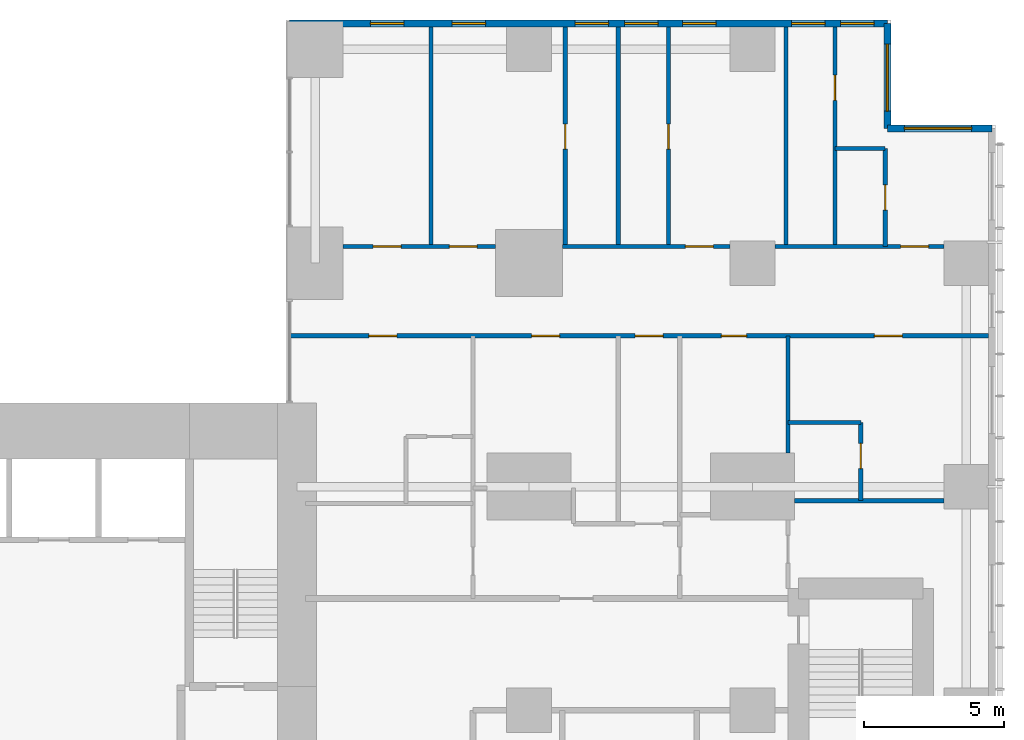
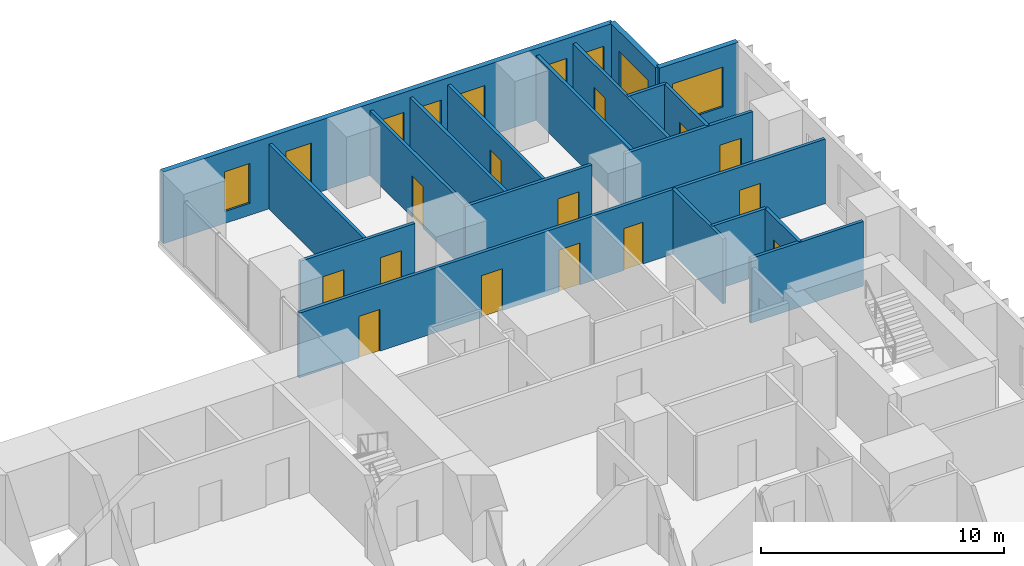
# One storey, part 10 of 12: 19 walls, 14 doors, 9 windows, 23 openings.
"""IFC4 building model written with IfcOpenShell, lengths in metres."""

from ifc_helpers import new_model, si_unit, direction, frame, frame_2d, origin, place, context, subcontext, project, spatial, rectangle, extrude, material, layer, layer_set, type_object, element, fill, save


model = new_model("IFC4")

# Units and contexts
model_context = context("Model", 3, precision=1e-05, world=origin(), true_north=direction((0.0, 1.0)))
body_context = subcontext(model_context, "Body", "Model", "MODEL_VIEW")
ifc_project = project(units=[si_unit("LENGTHUNIT", "METRE"), si_unit("AREAUNIT", "SQUARE_METRE"), si_unit("VOLUMEUNIT", "CUBIC_METRE"), si_unit("PLANEANGLEUNIT", "RADIAN"), si_unit("MASSUNIT", "GRAM", prefix="KILO")], contexts=[model_context])

# Site, building, storey
site_placement = place(None, origin())
site = spatial("IfcSite", under=ifc_project, at=site_placement, CompositionType="ELEMENT")
building_placement = place(site_placement, origin())
building = spatial("IfcBuilding", under=site, at=building_placement, Name="Cleftline Residences", CompositionType="ELEMENT")
storey_placement = place(building_placement, frame((0.0, 0.0, 273.60009765625)))
storey = spatial("IfcBuildingStorey", under=building, at=storey_placement, Name="L72", CompositionType="ELEMENT", Elevation=273.60009765625)

# Wall, opening, window
ifc_material_1 = material(Name="Rendered reinforced concrete blockwork", Category="masonry")
ifc_layer_1 = layer(ifc_material_1, 0.25)
ifc_layer_set_1 = layer_set([ifc_layer_1], Name="EXTERNAL WALL 250")
wall_type_1 = type_object("IfcWallType", Name="EXTERNAL WALL 250", PredefinedType="SOLIDWALL", material=ifc_layer_set_1)
wall_1_placement = place(storey_placement, frame((66.574951171875, 44.824951171875, 0.0), z_axis=(0.0, 0.0, 1.0), x_axis=(-1.0, 0.0, 0.0)))
wall_1 = element("IfcWall", 1, at=wall_1_placement, inside=storey, type_object=wall_type_1, Name="External wall", PredefinedType="SOLIDWALL", context=body_context, shape_type="SweptSolid", body=[
    extrude(rectangle(XDim=3.75, YDim=0.25, at=frame_2d((1.875, 0.0))), origin(), (0.0, 0.0, 1.0), 3.599853515625),
])
opening_1_placement = place(wall_1_placement, frame((0.737548828125, 0.0, 0.60009765625)))
opening_1 = element("IfcOpeningElement", 2, at=opening_1_placement, cuts=wall_1, Name="Opening W6", PredefinedType="OPENING", context=body_context, shape_type="SweptSolid", body=[
    extrude(rectangle(XDim=2.39990234375, YDim=2.0, at=frame_2d((1.199951171875, 1.0))), frame((0.0, 0.135009765625, 0.0), z_axis=(0.0, -1.0, 0.0), x_axis=(1.0, 0.0, 0.0)), (0.0, 0.0, 1.0), 0.27001953125),
])
ifc_material_2 = material(Name="Aluminium frame, clear double glazing", Category="aluminium")
window_type_1 = type_object("IfcWindowType", Name="WINDOW 2400X2000", PartitioningType="DOUBLE_PANEL_VERTICAL", PredefinedType="WINDOW", material=ifc_material_2)
window_1_placement = place(opening_1_placement, origin())
window_1 = element("IfcWindow", 3, at=window_1_placement, inside=storey, type_object=window_type_1, Name="Window", OverallHeight=2.0, OverallWidth=2.39990234375, PartitioningType="SINGLE_PANEL", PredefinedType="WINDOW", context=body_context, shape_type="SweptSolid", body=[
    extrude(rectangle(XDim=2.39990234375, YDim=2.0, at=frame_2d((1.199951171875, 1.0))), frame((0.0, 0.030029296875, 0.0), z_axis=(0.0, -1.0, 0.0), x_axis=(1.0, 0.0, 0.0)), (0.0, 0.0, 1.0), 0.06005859375),
])
fill(opening_1, window_1)

wall_2_placement = place(storey_placement, frame((62.824951171875, 44.824951171875, 0.0), z_axis=(0.0, 0.0, 1.0), x_axis=(0.0, 1.0, 0.0)))
wall_2 = element("IfcWall", 4, at=wall_2_placement, inside=storey, type_object=wall_type_1, Name="External wall", PredefinedType="SOLIDWALL", context=body_context, shape_type="SweptSolid", body=[
    extrude(rectangle(XDim=3.75, YDim=0.25, at=frame_2d((1.875, 0.0))), origin(), (0.0, 0.0, 1.0), 3.599853515625),
])
opening_2_placement = place(wall_2_placement, frame((0.612548828125, 0.0, 0.60009765625)))
opening_2 = element("IfcOpeningElement", 5, at=opening_2_placement, cuts=wall_2, Name="Opening W6", PredefinedType="OPENING", context=body_context, shape_type="SweptSolid", body=[
    extrude(rectangle(XDim=2.39990234375, YDim=2.0, at=frame_2d((1.199951171875, 1.0))), frame((0.0, 0.135009765625, 0.0), z_axis=(0.0, -1.0, 0.0), x_axis=(1.0, 0.0, 0.0)), (0.0, 0.0, 1.0), 0.27001953125),
])
window_2_placement = place(opening_2_placement, origin())
window_2 = element("IfcWindow", 6, at=window_2_placement, inside=storey, type_object=window_type_1, Name="Window", OverallHeight=2.0, OverallWidth=2.39990234375, PartitioningType="SINGLE_PANEL", PredefinedType="WINDOW", context=body_context, shape_type="SweptSolid", body=[
    extrude(rectangle(XDim=2.39990234375, YDim=2.0, at=frame_2d((1.199951171875, 1.0))), frame((0.0, 0.030029296875, 0.0), z_axis=(0.0, -1.0, 0.0), x_axis=(1.0, 0.0, 0.0)), (0.0, 0.0, 1.0), 0.06005859375),
])
fill(opening_2, window_2)

# Wall, openings, windows
wall_3_placement = place(storey_placement, frame((62.824951171875, 48.574951171875, 0.0), z_axis=(0.0, 0.0, 1.0), x_axis=(-1.0, 0.0, 0.0)))
wall_3 = element("IfcWall", 7, at=wall_3_placement, inside=storey, type_object=wall_type_1, Name="External wall", PredefinedType="SOLIDWALL", context=body_context, shape_type="SweptSolid", body=[
    extrude(rectangle(XDim=21.39990234375, YDim=0.25, at=frame_2d((10.699951171875, 0.0))), origin(), (0.0, 0.0, 1.0), 3.599853515625),
])
opening_3_placement = place(wall_3_placement, frame((0.47509765625, 0.0, 0.60009765625)))
opening_3 = element("IfcOpeningElement", 8, at=opening_3_placement, cuts=wall_3, Name="Opening W8", PredefinedType="OPENING", context=body_context, shape_type="SweptSolid", body=[
    extrude(rectangle(XDim=1.199951171875, YDim=2.0, at=frame_2d((0.60009765625, 1.0))), frame((0.0, 0.135009765625, 0.0), z_axis=(0.0, -1.0, 0.0), x_axis=(1.0, 0.0, 0.0)), (0.0, 0.0, 1.0), 0.27001953125),
])
opening_4_placement = place(wall_3_placement, frame((2.22509765625, 0.0, 0.60009765625)))
opening_4 = element("IfcOpeningElement", 9, at=opening_4_placement, cuts=wall_3, Name="Opening W8", PredefinedType="OPENING", context=body_context, shape_type="SweptSolid", body=[
    extrude(rectangle(XDim=1.199951171875, YDim=2.0, at=frame_2d((0.60009765625, 1.0))), frame((0.0, 0.135009765625, 0.0), z_axis=(0.0, -1.0, 0.0), x_axis=(1.0, 0.0, 0.0)), (0.0, 0.0, 1.0), 0.27001953125),
])
opening_5_placement = place(wall_3_placement, frame((6.125, 0.0, 0.60009765625)))
opening_5 = element("IfcOpeningElement", 10, at=opening_5_placement, cuts=wall_3, Name="Opening W8", PredefinedType="OPENING", context=body_context, shape_type="SweptSolid", body=[
    extrude(rectangle(XDim=1.199951171875, YDim=2.0, at=frame_2d((0.60009765625, 1.0))), frame((0.0, 0.135009765625, 0.0), z_axis=(0.0, -1.0, 0.0), x_axis=(1.0, 0.0, 0.0)), (0.0, 0.0, 1.0), 0.27001953125),
])
opening_6_placement = place(wall_3_placement, frame((8.199951171875, 0.0, 0.60009765625)))
opening_6 = element("IfcOpeningElement", 11, at=opening_6_placement, cuts=wall_3, Name="Opening W8", PredefinedType="OPENING", context=body_context, shape_type="SweptSolid", body=[
    extrude(rectangle(XDim=1.199951171875, YDim=2.0, at=frame_2d((0.60009765625, 1.0))), frame((0.0, 0.135009765625, 0.0), z_axis=(0.0, -1.0, 0.0), x_axis=(1.0, 0.0, 0.0)), (0.0, 0.0, 1.0), 0.27001953125),
])
opening_7_placement = place(wall_3_placement, frame((9.97509765625, 0.0, 0.60009765625)))
opening_7 = element("IfcOpeningElement", 12, at=opening_7_placement, cuts=wall_3, Name="Opening W8", PredefinedType="OPENING", context=body_context, shape_type="SweptSolid", body=[
    extrude(rectangle(XDim=1.199951171875, YDim=2.0, at=frame_2d((0.60009765625, 1.0))), frame((0.0, 0.135009765625, 0.0), z_axis=(0.0, -1.0, 0.0), x_axis=(1.0, 0.0, 0.0)), (0.0, 0.0, 1.0), 0.27001953125),
])
opening_8_placement = place(wall_3_placement, frame((14.375, 0.0, 0.60009765625)))
opening_8 = element("IfcOpeningElement", 13, at=opening_8_placement, cuts=wall_3, Name="Opening W8", PredefinedType="OPENING", context=body_context, shape_type="SweptSolid", body=[
    extrude(rectangle(XDim=1.199951171875, YDim=2.0, at=frame_2d((0.60009765625, 1.0))), frame((0.0, 0.135009765625, 0.0), z_axis=(0.0, -1.0, 0.0), x_axis=(1.0, 0.0, 0.0)), (0.0, 0.0, 1.0), 0.27001953125),
])
opening_9_placement = place(wall_3_placement, frame((17.300048828125, 0.0, 0.60009765625)))
opening_9 = element("IfcOpeningElement", 14, at=opening_9_placement, cuts=wall_3, Name="Opening W8", PredefinedType="OPENING", context=body_context, shape_type="SweptSolid", body=[
    extrude(rectangle(XDim=1.199951171875, YDim=2.0, at=frame_2d((0.60009765625, 1.0))), frame((0.0, 0.135009765625, 0.0), z_axis=(0.0, -1.0, 0.0), x_axis=(1.0, 0.0, 0.0)), (0.0, 0.0, 1.0), 0.27001953125),
])
ifc_material_3 = material(Name="Aluminium frame, clear double glazing", Category="aluminium")
window_type_2 = type_object("IfcWindowType", Name="WINDOW 1200X2000", PartitioningType="DOUBLE_PANEL_VERTICAL", PredefinedType="WINDOW", material=ifc_material_3)
window_3_placement = place(opening_3_placement, origin())
window_3 = element("IfcWindow", 15, at=window_3_placement, inside=storey, type_object=window_type_2, Name="Window", OverallHeight=2.0, OverallWidth=1.199951171875, PartitioningType="SINGLE_PANEL", PredefinedType="WINDOW", context=body_context, shape_type="SweptSolid", body=[
    extrude(rectangle(XDim=1.199951171875, YDim=2.0, at=frame_2d((0.60009765625, 1.0))), frame((0.0, 0.030029296875, 0.0), z_axis=(0.0, -1.0, 0.0), x_axis=(1.0, 0.0, 0.0)), (0.0, 0.0, 1.0), 0.06005859375),
])
fill(opening_3, window_3)
window_4_placement = place(opening_4_placement, origin())
window_4 = element("IfcWindow", 16, at=window_4_placement, inside=storey, type_object=window_type_2, Name="Window", OverallHeight=2.0, OverallWidth=1.199951171875, PartitioningType="SINGLE_PANEL", PredefinedType="WINDOW", context=body_context, shape_type="SweptSolid", body=[
    extrude(rectangle(XDim=1.199951171875, YDim=2.0, at=frame_2d((0.60009765625, 1.0))), frame((0.0, 0.030029296875, 0.0), z_axis=(0.0, -1.0, 0.0), x_axis=(1.0, 0.0, 0.0)), (0.0, 0.0, 1.0), 0.06005859375),
])
fill(opening_4, window_4)
window_5_placement = place(opening_5_placement, origin())
window_5 = element("IfcWindow", 17, at=window_5_placement, inside=storey, type_object=window_type_2, Name="Window", OverallHeight=2.0, OverallWidth=1.199951171875, PartitioningType="SINGLE_PANEL", PredefinedType="WINDOW", context=body_context, shape_type="SweptSolid", body=[
    extrude(rectangle(XDim=1.199951171875, YDim=2.0, at=frame_2d((0.60009765625, 1.0))), frame((0.0, 0.030029296875, 0.0), z_axis=(0.0, -1.0, 0.0), x_axis=(1.0, 0.0, 0.0)), (0.0, 0.0, 1.0), 0.06005859375),
])
fill(opening_5, window_5)
window_6_placement = place(opening_6_placement, origin())
window_6 = element("IfcWindow", 18, at=window_6_placement, inside=storey, type_object=window_type_2, Name="Window", OverallHeight=2.0, OverallWidth=1.199951171875, PartitioningType="SINGLE_PANEL", PredefinedType="WINDOW", context=body_context, shape_type="SweptSolid", body=[
    extrude(rectangle(XDim=1.199951171875, YDim=2.0, at=frame_2d((0.60009765625, 1.0))), frame((0.0, 0.030029296875, 0.0), z_axis=(0.0, -1.0, 0.0), x_axis=(1.0, 0.0, 0.0)), (0.0, 0.0, 1.0), 0.06005859375),
])
fill(opening_6, window_6)
window_7_placement = place(opening_7_placement, origin())
window_7 = element("IfcWindow", 19, at=window_7_placement, inside=storey, type_object=window_type_2, Name="Window", OverallHeight=2.0, OverallWidth=1.199951171875, PartitioningType="SINGLE_PANEL", PredefinedType="WINDOW", context=body_context, shape_type="SweptSolid", body=[
    extrude(rectangle(XDim=1.199951171875, YDim=2.0, at=frame_2d((0.60009765625, 1.0))), frame((0.0, 0.030029296875, 0.0), z_axis=(0.0, -1.0, 0.0), x_axis=(1.0, 0.0, 0.0)), (0.0, 0.0, 1.0), 0.06005859375),
])
fill(opening_7, window_7)
window_8_placement = place(opening_8_placement, origin())
window_8 = element("IfcWindow", 20, at=window_8_placement, inside=storey, type_object=window_type_2, Name="Window", OverallHeight=2.0, OverallWidth=1.199951171875, PartitioningType="SINGLE_PANEL", PredefinedType="WINDOW", context=body_context, shape_type="SweptSolid", body=[
    extrude(rectangle(XDim=1.199951171875, YDim=2.0, at=frame_2d((0.60009765625, 1.0))), frame((0.0, 0.030029296875, 0.0), z_axis=(0.0, -1.0, 0.0), x_axis=(1.0, 0.0, 0.0)), (0.0, 0.0, 1.0), 0.06005859375),
])
fill(opening_8, window_8)
window_9_placement = place(opening_9_placement, origin())
window_9 = element("IfcWindow", 21, at=window_9_placement, inside=storey, type_object=window_type_2, Name="Window", OverallHeight=2.0, OverallWidth=1.199951171875, PartitioningType="SINGLE_PANEL", PredefinedType="WINDOW", context=body_context, shape_type="SweptSolid", body=[
    extrude(rectangle(XDim=1.199951171875, YDim=2.0, at=frame_2d((0.60009765625, 1.0))), frame((0.0, 0.030029296875, 0.0), z_axis=(0.0, -1.0, 0.0), x_axis=(1.0, 0.0, 0.0)), (0.0, 0.0, 1.0), 0.06005859375),
])
fill(opening_9, window_9)

# Walls
ifc_material_4 = material(Name="Gypsum board on steel studs", Category="steel")
ifc_layer_2 = layer(ifc_material_4, 0.14990234375)
ifc_layer_set_2 = layer_set([ifc_layer_2], Name="PARTITION 150")
wall_type_2 = type_object("IfcWallType", Name="PARTITION 150", PredefinedType="PARTITIONING", material=ifc_layer_set_2)
wall_4_placement = place(storey_placement, frame((59.5, 31.5, 0.0), z_axis=(0.0, 0.0, 1.0), x_axis=(1.0, 0.0, 0.0)))
element("IfcWall", 22, at=wall_4_placement, inside=storey, type_object=wall_type_2, Name="Partition", PredefinedType="PARTITIONING", context=body_context, shape_type="SweptSolid", body=[
    extrude(rectangle(XDim=5.35009765625, YDim=0.14990234375, at=frame_2d((2.675048828125, 0.0))), origin(), (0.0, 0.0, 1.0), 3.25),
])
wall_5_placement = place(storey_placement, frame((59.27490234375, 34.300048828125, 0.0), z_axis=(0.0, 0.0, 1.0), x_axis=(1.0, 0.0, 0.0)))
element("IfcWall", 23, at=wall_5_placement, inside=storey, type_object=wall_type_2, Name="Partition", PredefinedType="PARTITIONING", context=body_context, shape_type="SweptSolid", body=[
    extrude(rectangle(XDim=2.60009765625, YDim=0.14990234375, at=frame_2d((1.300048828125, 0.0))), origin(), (0.0, 0.0, 1.0), 3.25),
])

# Wall, openings, doors
wall_6_placement = place(storey_placement, frame((41.43896484375, 37.39990234375, 0.0), z_axis=(0.0, 0.0, 1.0), x_axis=(1.0, 0.0, 0.0)))
wall_6 = element("IfcWall", 24, at=wall_6_placement, inside=storey, type_object=wall_type_2, Name="Partition", PredefinedType="PARTITIONING", context=body_context, shape_type="SweptSolid", body=[
    extrude(rectangle(XDim=25.010986328125, YDim=0.14990234375, at=frame_2d((12.50537109375, 0.0))), origin(), (0.0, 0.0, 1.0), 3.25),
])
opening_10_placement = place(wall_6_placement, frame((12.361083984375, 0.0, 0.0)))
opening_10 = element("IfcOpeningElement", 25, at=opening_10_placement, cuts=wall_6, Name="Opening D2F30", PredefinedType="OPENING", context=body_context, shape_type="SweptSolid", body=[
    extrude(rectangle(XDim=1.0, YDim=2.10009765625, at=frame_2d((0.5, 1.050048828125))), frame((0.0, 0.0849609375, 0.0), z_axis=(0.0, -1.0, 0.0), x_axis=(1.0, 0.0, 0.0)), (0.0, 0.0, 1.0), 0.169921875),
])
opening_11_placement = place(wall_6_placement, frame((20.923583984375, 0.0, 0.0)))
opening_11 = element("IfcOpeningElement", 26, at=opening_11_placement, cuts=wall_6, Name="Opening D2F30", PredefinedType="OPENING", context=body_context, shape_type="SweptSolid", body=[
    extrude(rectangle(XDim=1.0, YDim=2.10009765625, at=frame_2d((0.5, 1.050048828125))), frame((0.0, 0.0849609375, 0.0), z_axis=(0.0, -1.0, 0.0), x_axis=(1.0, 0.0, 0.0)), (0.0, 0.0, 1.0), 0.169921875),
])
opening_12_placement = place(wall_6_placement, frame((15.448486328125, 0.0, 0.0)))
opening_12 = element("IfcOpeningElement", 27, at=opening_12_placement, cuts=wall_6, Name="Opening D1F30", PredefinedType="OPENING", context=body_context, shape_type="SweptSolid", body=[
    extrude(rectangle(XDim=0.89990234375, YDim=2.10009765625, at=frame_2d((0.449951171875, 1.050048828125))), frame((0.0, 0.0849609375, 0.0), z_axis=(0.0, -1.0, 0.0), x_axis=(1.0, 0.0, 0.0)), (0.0, 0.0, 1.0), 0.169921875),
])
opening_13_placement = place(wall_6_placement, frame((8.660888671875, 0.0, 0.0)))
opening_13 = element("IfcOpeningElement", 28, at=opening_13_placement, cuts=wall_6, Name="Opening D2F30", PredefinedType="OPENING", context=body_context, shape_type="SweptSolid", body=[
    extrude(rectangle(XDim=1.0, YDim=2.10009765625, at=frame_2d((0.5, 1.050048828125))), frame((0.0, 0.0849609375, 0.0), z_axis=(0.0, -1.0, 0.0), x_axis=(1.0, 0.0, 0.0)), (0.0, 0.0, 1.0), 0.169921875),
])
opening_14_placement = place(wall_6_placement, frame((2.8359375, 0.0, 0.0)))
opening_14 = element("IfcOpeningElement", 29, at=opening_14_placement, cuts=wall_6, Name="Opening D2F30", PredefinedType="OPENING", context=body_context, shape_type="SweptSolid", body=[
    extrude(rectangle(XDim=1.0, YDim=2.10009765625, at=frame_2d((0.5, 1.050048828125))), frame((0.0, 0.0849609375, 0.0), z_axis=(0.0, -1.0, 0.0), x_axis=(1.0, 0.0, 0.0)), (0.0, 0.0, 1.0), 0.169921875),
])
ifc_material_5 = material(Name="Timber veneer on solid core", Category="wood")
door_type_1 = type_object("IfcDoorType", Name="DOOR 1000X2100 EI 30", OperationType="SINGLE_SWING_LEFT", PredefinedType="DOOR", material=ifc_material_5)
door_1_placement = place(opening_10_placement, origin())
door_1 = element("IfcDoor", 30, at=door_1_placement, inside=storey, type_object=door_type_1, Name="Door to residence corridor (bedrooms)", OperationType="SINGLE_SWING_LEFT", OverallHeight=2.10009765625, OverallWidth=1.0, PredefinedType="DOOR", context=body_context, shape_type="SweptSolid", body=[
    extrude(rectangle(XDim=1.0, YDim=2.10009765625, at=frame_2d((0.5, 1.050048828125))), frame((0.0, 0.02490234375, 0.0), z_axis=(0.0, -1.0, 0.0), x_axis=(1.0, 0.0, 0.0)), (0.0, 0.0, 1.0), 0.050048828125),
])
fill(opening_10, door_1)
door_2_placement = place(opening_11_placement, origin())
door_2 = element("IfcDoor", 31, at=door_2_placement, inside=storey, type_object=door_type_1, Name="Door to master bedroom", OperationType="SINGLE_SWING_LEFT", OverallHeight=2.10009765625, OverallWidth=1.0, PredefinedType="DOOR", context=body_context, shape_type="SweptSolid", body=[
    extrude(rectangle(XDim=1.0, YDim=2.10009765625, at=frame_2d((0.5, 1.050048828125))), frame((0.0, 0.02490234375, 0.0), z_axis=(0.0, -1.0, 0.0), x_axis=(1.0, 0.0, 0.0)), (0.0, 0.0, 1.0), 0.050048828125),
])
fill(opening_11, door_2)
door_3_placement = place(opening_13_placement, origin())
door_3 = element("IfcDoor", 32, at=door_3_placement, inside=storey, type_object=door_type_1, Name="Door to media room", OperationType="SINGLE_SWING_RIGHT", OverallHeight=2.10009765625, OverallWidth=1.0, PredefinedType="DOOR", context=body_context, shape_type="SweptSolid", body=[
    extrude(rectangle(XDim=1.0, YDim=2.10009765625, at=frame_2d((0.5, 1.050048828125))), frame((0.0, 0.02490234375, 0.0), z_axis=(0.0, -1.0, 0.0), x_axis=(1.0, 0.0, 0.0)), (0.0, 0.0, 1.0), 0.050048828125),
])
fill(opening_13, door_3)
door_4_placement = place(opening_14_placement, origin())
door_4 = element("IfcDoor", 33, at=door_4_placement, inside=storey, type_object=door_type_1, Name="Door to staff bedroom", OperationType="SINGLE_SWING_RIGHT", OverallHeight=2.10009765625, OverallWidth=1.0, PredefinedType="DOOR", context=body_context, shape_type="SweptSolid", body=[
    extrude(rectangle(XDim=1.0, YDim=2.10009765625, at=frame_2d((0.5, 1.050048828125))), frame((0.0, 0.02490234375, 0.0), z_axis=(0.0, -1.0, 0.0), x_axis=(1.0, 0.0, 0.0)), (0.0, 0.0, 1.0), 0.050048828125),
])
fill(opening_14, door_4)
ifc_material_6 = material(Name="Timber veneer on solid core", Category="wood")
door_type_2 = type_object("IfcDoorType", Name="DOOR 900X2100 EI 30", OperationType="SINGLE_SWING_LEFT", PredefinedType="DOOR", material=ifc_material_6)
door_5_placement = place(opening_12_placement, origin())
door_5 = element("IfcDoor", 34, at=door_5_placement, inside=storey, type_object=door_type_2, Name="Door to guest bathroom", OperationType="SINGLE_SWING_LEFT", OverallHeight=2.10009765625, OverallWidth=0.89990234375, PredefinedType="DOOR", context=body_context, shape_type="SweptSolid", body=[
    extrude(rectangle(XDim=0.89990234375, YDim=2.10009765625, at=frame_2d((0.449951171875, 1.050048828125))), frame((0.0, 0.02490234375, 0.0), z_axis=(0.0, -1.0, 0.0), x_axis=(1.0, 0.0, 0.0)), (0.0, 0.0, 1.0), 0.050048828125),
])
fill(opening_12, door_5)

wall_7_placement = place(storey_placement, frame((43.35009765625, 40.60009765625, 0.0), z_axis=(0.0, 0.0, 1.0), x_axis=(1.0, 0.0, 0.0)))
wall_7 = element("IfcWall", 35, at=wall_7_placement, inside=storey, type_object=wall_type_2, Name="Partition", PredefinedType="PARTITIONING", context=body_context, shape_type="SweptSolid", body=[
    extrude(rectangle(XDim=5.449951171875, YDim=0.14990234375, at=frame_2d((2.72509765625, 0.0))), origin(), (0.0, 0.0, 1.0), 3.25),
])
opening_15_placement = place(wall_7_placement, frame((3.800048828125, 0.0, 0.0)))
opening_15 = element("IfcOpeningElement", 36, at=opening_15_placement, cuts=wall_7, Name="Opening D2", PredefinedType="OPENING", context=body_context, shape_type="SweptSolid", body=[
    extrude(rectangle(XDim=1.0, YDim=2.10009765625, at=frame_2d((0.5, 1.050048828125))), frame((0.0, 0.0849609375, 0.0), z_axis=(0.0, -1.0, 0.0), x_axis=(1.0, 0.0, 0.0)), (0.0, 0.0, 1.0), 0.169921875),
])
opening_16_placement = place(wall_7_placement, frame((1.074951171875, 0.0, 0.0)))
opening_16 = element("IfcOpeningElement", 37, at=opening_16_placement, cuts=wall_7, Name="Opening D2", PredefinedType="OPENING", context=body_context, shape_type="SweptSolid", body=[
    extrude(rectangle(XDim=1.0, YDim=2.10009765625, at=frame_2d((0.5, 1.050048828125))), frame((0.0, 0.0849609375, 0.0), z_axis=(0.0, -1.0, 0.0), x_axis=(1.0, 0.0, 0.0)), (0.0, 0.0, 1.0), 0.169921875),
])
ifc_material_7 = material(Name="Timber veneer on solid core", Category="wood")
door_type_3 = type_object("IfcDoorType", Name="DOOR 1000X2100", OperationType="SINGLE_SWING_LEFT", PredefinedType="DOOR", material=ifc_material_7)
door_6_placement = place(opening_15_placement, origin())
door_6 = element("IfcDoor", 38, at=door_6_placement, inside=storey, type_object=door_type_3, Name="Door to bedroom 4", OperationType="SINGLE_SWING_LEFT", OverallHeight=2.10009765625, OverallWidth=1.0, PredefinedType="DOOR", context=body_context, shape_type="SweptSolid", body=[
    extrude(rectangle(XDim=1.0, YDim=2.10009765625, at=frame_2d((0.5, 1.050048828125))), frame((0.0, 0.02490234375, 0.0), z_axis=(0.0, -1.0, 0.0), x_axis=(1.0, 0.0, 0.0)), (0.0, 0.0, 1.0), 0.050048828125),
])
fill(opening_15, door_6)
door_7_placement = place(opening_16_placement, origin())
door_7 = element("IfcDoor", 39, at=door_7_placement, inside=storey, type_object=door_type_3, Name="Door to bedroom 4 sitting room", OperationType="SINGLE_SWING_RIGHT", OverallHeight=2.10009765625, OverallWidth=1.0, PredefinedType="DOOR", context=body_context, shape_type="SweptSolid", body=[
    extrude(rectangle(XDim=1.0, YDim=2.10009765625, at=frame_2d((0.5, 1.050048828125))), frame((0.0, 0.02490234375, 0.0), z_axis=(0.0, -1.0, 0.0), x_axis=(1.0, 0.0, 0.0)), (0.0, 0.0, 1.0), 0.050048828125),
])
fill(opening_16, door_7)

# Wall, opening, door
wall_8_placement = place(storey_placement, frame((51.199951171875, 40.60009765625, 0.0), z_axis=(0.0, 0.0, 1.0), x_axis=(1.0, 0.0, 0.0)))
wall_8 = element("IfcWall", 40, at=wall_8_placement, inside=storey, type_object=wall_type_2, Name="Partition", PredefinedType="PARTITIONING", context=body_context, shape_type="SweptSolid", body=[
    extrude(rectangle(XDim=6.0, YDim=0.14990234375, at=frame_2d((3.0, 0.0))), origin(), (0.0, 0.0, 1.0), 3.25),
])
opening_17_placement = place(wall_8_placement, frame((4.39990234375, 0.0, 0.0)))
opening_17 = element("IfcOpeningElement", 41, at=opening_17_placement, cuts=wall_8, Name="Opening D2", PredefinedType="OPENING", context=body_context, shape_type="SweptSolid", body=[
    extrude(rectangle(XDim=1.0, YDim=2.10009765625, at=frame_2d((0.5, 1.050048828125))), frame((0.0, 0.0849609375, 0.0), z_axis=(0.0, -1.0, 0.0), x_axis=(1.0, 0.0, 0.0)), (0.0, 0.0, 1.0), 0.169921875),
])
door_8_placement = place(opening_17_placement, origin())
door_8 = element("IfcDoor", 42, at=door_8_placement, inside=storey, type_object=door_type_3, Name="Door to bedroom 3", OperationType="SINGLE_SWING_LEFT", OverallHeight=2.10009765625, OverallWidth=1.0, PredefinedType="DOOR", context=body_context, shape_type="SweptSolid", body=[
    extrude(rectangle(XDim=1.0, YDim=2.10009765625, at=frame_2d((0.5, 1.050048828125))), frame((0.0, 0.02490234375, 0.0), z_axis=(0.0, -1.0, 0.0), x_axis=(1.0, 0.0, 0.0)), (0.0, 0.0, 1.0), 0.050048828125),
])
fill(opening_17, door_8)

wall_9_placement = place(storey_placement, frame((58.800048828125, 40.60009765625, 0.0), z_axis=(0.0, 0.0, 1.0), x_axis=(1.0, 0.0, 0.0)))
wall_9 = element("IfcWall", 43, at=wall_9_placement, inside=storey, type_object=wall_type_2, Name="Partition", PredefinedType="PARTITIONING", context=body_context, shape_type="SweptSolid", body=[
    extrude(rectangle(XDim=6.050048828125, YDim=0.14990234375, at=frame_2d((3.02490234375, 0.0))), origin(), (0.0, 0.0, 1.0), 3.25),
])
opening_18_placement = place(wall_9_placement, frame((4.5, 0.0, 0.0)))
opening_18 = element("IfcOpeningElement", 44, at=opening_18_placement, cuts=wall_9, Name="Opening D2", PredefinedType="OPENING", context=body_context, shape_type="SweptSolid", body=[
    extrude(rectangle(XDim=1.0, YDim=2.10009765625, at=frame_2d((0.5, 1.050048828125))), frame((0.0, 0.0849609375, 0.0), z_axis=(0.0, -1.0, 0.0), x_axis=(1.0, 0.0, 0.0)), (0.0, 0.0, 1.0), 0.169921875),
])
door_9_placement = place(opening_18_placement, origin())
door_9 = element("IfcDoor", 45, at=door_9_placement, inside=storey, type_object=door_type_3, Name="Door to bedroom 2", OperationType="SINGLE_SWING_LEFT", OverallHeight=2.10009765625, OverallWidth=1.0, PredefinedType="DOOR", context=body_context, shape_type="SweptSolid", body=[
    extrude(rectangle(XDim=1.0, YDim=2.10009765625, at=frame_2d((0.5, 1.050048828125))), frame((0.0, 0.02490234375, 0.0), z_axis=(0.0, -1.0, 0.0), x_axis=(1.0, 0.0, 0.0)), (0.0, 0.0, 1.0), 0.050048828125),
])
fill(opening_18, door_9)

# Walls
wall_10_placement = place(storey_placement, frame((60.949951171875, 44.10009765625, 0.0), z_axis=(0.0, 0.0, 1.0), x_axis=(1.0, 0.0, 0.0)))
element("IfcWall", 46, at=wall_10_placement, inside=storey, type_object=wall_type_2, Name="Partition", PredefinedType="PARTITIONING", context=body_context, shape_type="SweptSolid", body=[
    extrude(rectangle(XDim=1.800048828125, YDim=0.14990234375, at=frame_2d((0.89990234375, 0.0))), origin(), (0.0, 0.0, 1.0), 3.25),
])
wall_11_placement = place(storey_placement, frame((46.5, 40.60009765625, 0.0), z_axis=(0.0, 0.0, 1.0), x_axis=(0.0, 1.0, 0.0)))
element("IfcWall", 47, at=wall_11_placement, inside=storey, type_object=wall_type_2, Name="Partition", PredefinedType="PARTITIONING", context=body_context, shape_type="SweptSolid", body=[
    extrude(rectangle(XDim=7.849853515625, YDim=0.14990234375, at=frame_2d((3.9248046875, 0.0))), origin(), (0.0, 0.0, 1.0), 3.25),
])

# Wall, opening, door
wall_12_placement = place(storey_placement, frame((51.300048828125, 40.60009765625, 0.0), z_axis=(0.0, 0.0, 1.0), x_axis=(0.0, 1.0, 0.0)))
wall_12 = element("IfcWall", 48, at=wall_12_placement, inside=storey, type_object=wall_type_2, Name="Partition", PredefinedType="PARTITIONING", context=body_context, shape_type="SweptSolid", body=[
    extrude(rectangle(XDim=7.849853515625, YDim=0.14990234375, at=frame_2d((3.9248046875, 0.0))), origin(), (0.0, 0.0, 1.0), 3.25),
])
opening_19_placement = place(wall_12_placement, frame((3.47509765625, 0.0, 0.0)))
opening_19 = element("IfcOpeningElement", 49, at=opening_19_placement, cuts=wall_12, Name="Opening D1", PredefinedType="OPENING", context=body_context, shape_type="SweptSolid", body=[
    extrude(rectangle(XDim=0.89990234375, YDim=2.10009765625, at=frame_2d((0.449951171875, 1.050048828125))), frame((0.0, 0.0849609375, 0.0), z_axis=(0.0, -1.0, 0.0), x_axis=(1.0, 0.0, 0.0)), (0.0, 0.0, 1.0), 0.169921875),
])
ifc_material_8 = material(Name="Timber veneer on solid core", Category="wood")
door_type_4 = type_object("IfcDoorType", Name="DOOR 900X2100", OperationType="SINGLE_SWING_LEFT", PredefinedType="DOOR", material=ifc_material_8)
door_10_placement = place(opening_19_placement, origin())
door_10 = element("IfcDoor", 50, at=door_10_placement, inside=storey, type_object=door_type_4, Name="Door to en-suite bathroom 4", OperationType="SINGLE_SWING_LEFT", OverallHeight=2.10009765625, OverallWidth=0.89990234375, PredefinedType="DOOR", context=body_context, shape_type="SweptSolid", body=[
    extrude(rectangle(XDim=0.89990234375, YDim=2.10009765625, at=frame_2d((0.449951171875, 1.050048828125))), frame((0.0, 0.02490234375, 0.0), z_axis=(0.0, -1.0, 0.0), x_axis=(1.0, 0.0, 0.0)), (0.0, 0.0, 1.0), 0.050048828125),
])
fill(opening_19, door_10)

# Wall
wall_13_placement = place(storey_placement, frame((53.199951171875, 40.60009765625, 0.0), z_axis=(0.0, 0.0, 1.0), x_axis=(0.0, 1.0, 0.0)))
element("IfcWall", 51, at=wall_13_placement, inside=storey, type_object=wall_type_2, Name="Partition", PredefinedType="PARTITIONING", context=body_context, shape_type="SweptSolid", body=[
    extrude(rectangle(XDim=7.849853515625, YDim=0.14990234375, at=frame_2d((3.9248046875, 0.0))), origin(), (0.0, 0.0, 1.0), 3.25),
])

# Wall, opening, door
wall_14_placement = place(storey_placement, frame((55.0, 40.60009765625, 0.0), z_axis=(0.0, 0.0, 1.0), x_axis=(0.0, 1.0, 0.0)))
wall_14 = element("IfcWall", 52, at=wall_14_placement, inside=storey, type_object=wall_type_2, Name="Partition", PredefinedType="PARTITIONING", context=body_context, shape_type="SweptSolid", body=[
    extrude(rectangle(XDim=7.849853515625, YDim=0.14990234375, at=frame_2d((3.9248046875, 0.0))), origin(), (0.0, 0.0, 1.0), 3.25),
])
opening_20_placement = place(wall_14_placement, frame((3.47509765625, 0.0, 0.0)))
opening_20 = element("IfcOpeningElement", 53, at=opening_20_placement, cuts=wall_14, Name="Opening D1", PredefinedType="OPENING", context=body_context, shape_type="SweptSolid", body=[
    extrude(rectangle(XDim=0.89990234375, YDim=2.10009765625, at=frame_2d((0.449951171875, 1.050048828125))), frame((0.0, 0.0849609375, 0.0), z_axis=(0.0, -1.0, 0.0), x_axis=(1.0, 0.0, 0.0)), (0.0, 0.0, 1.0), 0.169921875),
])
door_11_placement = place(opening_20_placement, origin())
door_11 = element("IfcDoor", 54, at=door_11_placement, inside=storey, type_object=door_type_4, Name="Door to en-suite bathroom 3", OperationType="SINGLE_SWING_LEFT", OverallHeight=2.10009765625, OverallWidth=0.89990234375, PredefinedType="DOOR", context=body_context, shape_type="SweptSolid", body=[
    extrude(rectangle(XDim=0.89990234375, YDim=2.10009765625, at=frame_2d((0.449951171875, 1.050048828125))), frame((0.0, 0.02490234375, 0.0), z_axis=(0.0, -1.0, 0.0), x_axis=(1.0, 0.0, 0.0)), (0.0, 0.0, 1.0), 0.050048828125),
])
fill(opening_20, door_11)

# Walls
wall_15_placement = place(storey_placement, frame((59.199951171875, 40.60009765625, 0.0), z_axis=(0.0, 0.0, 1.0), x_axis=(0.0, 1.0, 0.0)))
element("IfcWall", 55, at=wall_15_placement, inside=storey, type_object=wall_type_2, Name="Partition", PredefinedType="PARTITIONING", context=body_context, shape_type="SweptSolid", body=[
    extrude(rectangle(XDim=7.849853515625, YDim=0.14990234375, at=frame_2d((3.9248046875, 0.0))), origin(), (0.0, 0.0, 1.0), 3.25),
])
wall_16_placement = place(storey_placement, frame((59.27490234375, 33.199951171875, 0.0), z_axis=(0.0, 0.0, 1.0), x_axis=(0.0, 1.0, 0.0)))
element("IfcWall", 56, at=wall_16_placement, inside=storey, type_object=wall_type_2, Name="Partition", PredefinedType="PARTITIONING", context=body_context, shape_type="SweptSolid", body=[
    extrude(rectangle(XDim=4.199951171875, YDim=0.14990234375, at=frame_2d((2.10009765625, 0.0))), origin(), (0.0, 0.0, 1.0), 3.25),
])

# Wall, opening, door
wall_17_placement = place(storey_placement, frame((60.949951171875, 40.60009765625, 0.0), z_axis=(0.0, 0.0, 1.0), x_axis=(0.0, 1.0, 0.0)))
wall_17 = element("IfcWall", 57, at=wall_17_placement, inside=storey, type_object=wall_type_2, Name="Partition", PredefinedType="PARTITIONING", context=body_context, shape_type="SweptSolid", body=[
    extrude(rectangle(XDim=7.849853515625, YDim=0.14990234375, at=frame_2d((3.9248046875, 0.0))), origin(), (0.0, 0.0, 1.0), 3.25),
])
opening_21_placement = place(wall_17_placement, frame((5.22509765625, 0.0, 0.0)))
opening_21 = element("IfcOpeningElement", 58, at=opening_21_placement, cuts=wall_17, Name="Opening D1", PredefinedType="OPENING", context=body_context, shape_type="SweptSolid", body=[
    extrude(rectangle(XDim=0.89990234375, YDim=2.10009765625, at=frame_2d((0.449951171875, 1.050048828125))), frame((0.0, 0.0849609375, 0.0), z_axis=(0.0, -1.0, 0.0), x_axis=(1.0, 0.0, 0.0)), (0.0, 0.0, 1.0), 0.169921875),
])
door_12_placement = place(opening_21_placement, origin())
door_12 = element("IfcDoor", 59, at=door_12_placement, inside=storey, type_object=door_type_4, Name="Door to walk-in wardrobe", OperationType="SINGLE_SWING_LEFT", OverallHeight=2.10009765625, OverallWidth=0.89990234375, PredefinedType="DOOR", context=body_context, shape_type="SweptSolid", body=[
    extrude(rectangle(XDim=0.89990234375, YDim=2.10009765625, at=frame_2d((0.449951171875, 1.050048828125))), frame((0.0, 0.02490234375, 0.0), z_axis=(0.0, -1.0, 0.0), x_axis=(1.0, 0.0, 0.0)), (0.0, 0.0, 1.0), 0.050048828125),
])
fill(opening_21, door_12)

wall_18_placement = place(storey_placement, frame((61.875, 31.5, 0.0), z_axis=(0.0, 0.0, 1.0), x_axis=(0.0, 1.0, 0.0)))
wall_18 = element("IfcWall", 60, at=wall_18_placement, inside=storey, type_object=wall_type_2, Name="Partition", PredefinedType="PARTITIONING", context=body_context, shape_type="SweptSolid", body=[
    extrude(rectangle(XDim=2.800048828125, YDim=0.14990234375, at=frame_2d((1.39990234375, 0.0))), origin(), (0.0, 0.0, 1.0), 3.25),
])
opening_22_placement = place(wall_18_placement, frame((1.14990234375, 0.0, 0.0)))
opening_22 = element("IfcOpeningElement", 61, at=opening_22_placement, cuts=wall_18, Name="Opening D1", PredefinedType="OPENING", context=body_context, shape_type="SweptSolid", body=[
    extrude(rectangle(XDim=0.89990234375, YDim=2.10009765625, at=frame_2d((0.449951171875, 1.050048828125))), frame((0.0, 0.0849609375, 0.0), z_axis=(0.0, -1.0, 0.0), x_axis=(1.0, 0.0, 0.0)), (0.0, 0.0, 1.0), 0.169921875),
])
door_13_placement = place(opening_22_placement, origin())
door_13 = element("IfcDoor", 62, at=door_13_placement, inside=storey, type_object=door_type_4, Name="Door to master bathroom", OperationType="SINGLE_SWING_LEFT", OverallHeight=2.10009765625, OverallWidth=0.89990234375, PredefinedType="DOOR", context=body_context, shape_type="SweptSolid", body=[
    extrude(rectangle(XDim=0.89990234375, YDim=2.10009765625, at=frame_2d((0.449951171875, 1.050048828125))), frame((0.0, 0.02490234375, 0.0), z_axis=(0.0, -1.0, 0.0), x_axis=(1.0, 0.0, 0.0)), (0.0, 0.0, 1.0), 0.050048828125),
])
fill(opening_22, door_13)

wall_19_placement = place(storey_placement, frame((62.75, 40.60009765625, 0.0), z_axis=(0.0, 0.0, 1.0), x_axis=(0.0, 1.0, 0.0)))
wall_19 = element("IfcWall", 63, at=wall_19_placement, inside=storey, type_object=wall_type_2, Name="Partition", PredefinedType="PARTITIONING", context=body_context, shape_type="SweptSolid", body=[
    extrude(rectangle(XDim=3.5, YDim=0.14990234375, at=frame_2d((1.75, 0.0))), origin(), (0.0, 0.0, 1.0), 3.25),
])
opening_23_placement = place(wall_19_placement, frame((1.300048828125, 0.0, 0.0)))
opening_23 = element("IfcOpeningElement", 64, at=opening_23_placement, cuts=wall_19, Name="Opening D1", PredefinedType="OPENING", context=body_context, shape_type="SweptSolid", body=[
    extrude(rectangle(XDim=0.89990234375, YDim=2.10009765625, at=frame_2d((0.449951171875, 1.050048828125))), frame((0.0, 0.0849609375, 0.0), z_axis=(0.0, -1.0, 0.0), x_axis=(1.0, 0.0, 0.0)), (0.0, 0.0, 1.0), 0.169921875),
])
door_14_placement = place(opening_23_placement, origin())
door_14 = element("IfcDoor", 65, at=door_14_placement, inside=storey, type_object=door_type_4, Name="Door to en-suite bathroom 2", OperationType="SINGLE_SWING_LEFT", OverallHeight=2.10009765625, OverallWidth=0.89990234375, PredefinedType="DOOR", context=body_context, shape_type="SweptSolid", body=[
    extrude(rectangle(XDim=0.89990234375, YDim=2.10009765625, at=frame_2d((0.449951171875, 1.050048828125))), frame((0.0, 0.02490234375, 0.0), z_axis=(0.0, -1.0, 0.0), x_axis=(1.0, 0.0, 0.0)), (0.0, 0.0, 1.0), 0.050048828125),
])
fill(opening_23, door_14)

save(model, "model.ifc")
